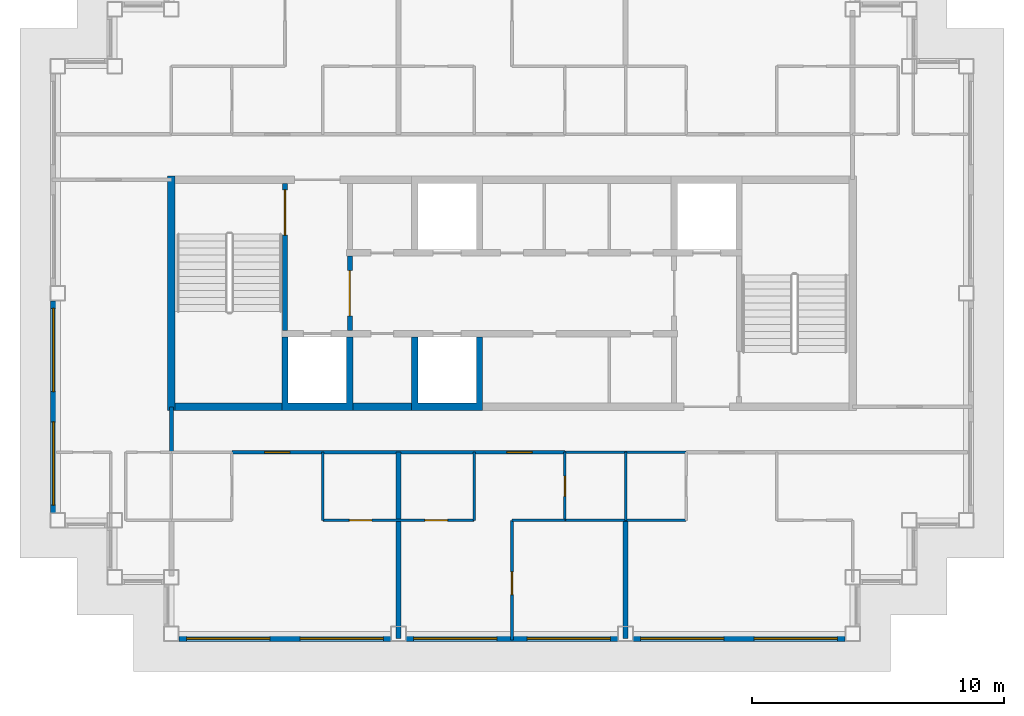
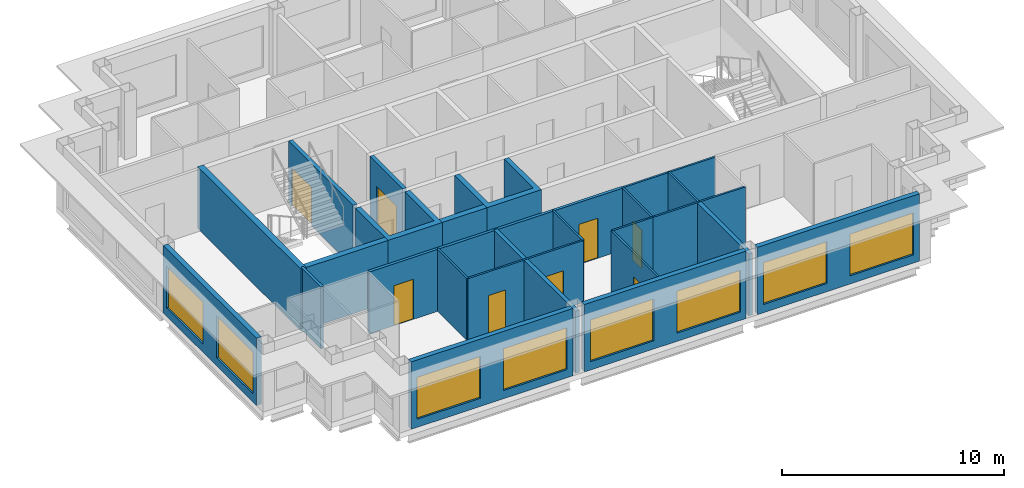
# One storey, part 2 of 11: 24 walls, 8 doors, 8 windows, 16 openings.
"""IFC4 building model written with IfcOpenShell, lengths in metres."""

from ifc_helpers import new_model, si_unit, direction, frame, frame_2d, origin, place, context, subcontext, project, spatial, polyline, rectangle, outline, extrude, material, layer, layer_set, type_object, element, fill, save


model = new_model("IFC4")

# Units and contexts
model_context = context("Model", 3, precision=1e-05, world=origin(), true_north=direction((0.0, 1.0)))
body_context = subcontext(model_context, "Body", "Model", "MODEL_VIEW")
ifc_project = project(units=[si_unit("LENGTHUNIT", "METRE"), si_unit("AREAUNIT", "SQUARE_METRE"), si_unit("VOLUMEUNIT", "CUBIC_METRE"), si_unit("PLANEANGLEUNIT", "RADIAN"), si_unit("MASSUNIT", "GRAM", prefix="KILO")], contexts=[model_context])

# Site, building, storey
site_placement = place(None, origin())
site = spatial("IfcSite", under=ifc_project, at=site_placement, CompositionType="ELEMENT")
building_placement = place(site_placement, origin())
building = spatial("IfcBuilding", under=site, at=building_placement, Name="Caravel Reach Hotel and Residences", CompositionType="ELEMENT")
storey_placement = place(building_placement, frame((0.0, 0.0, 298.199951171875)))
storey = spatial("IfcBuildingStorey", under=building, at=storey_placement, Name="L76", CompositionType="ELEMENT", Elevation=298.199951171875)

# Walls
ifc_material_1 = material(Name="Gypsum board on steel stud", Category="steel")
ifc_layer_1 = layer(ifc_material_1, 0.10009765625)
ifc_layer_set_1 = layer_set([ifc_layer_1], Name="Bathroom pod wall 100 mm")
wall_type_1 = type_object("IfcWallType", Name="Bathroom pod wall 100 mm", PredefinedType="PARTITIONING", material=ifc_layer_set_1)
for number, where, z_axis, x_axis, name in (
    (1, (33.60009765625, 18.0, 0.0), (0.0, 0.0, 1.0), (1.0, 0.0, 0.0), "L76 wall w054"),
    (2, (33.60009765625, 20.699951171875, 0.0), (0.0, 0.0, 1.0), (1.0, 0.0, 0.0), "L76 wall w057"),
):
    element("IfcWall", number, at=place(storey_placement, frame(where, z_axis=z_axis, x_axis=x_axis)), inside=storey, type_object=wall_type_1, Name=name, PredefinedType="PARTITIONING", context=body_context, shape_type="SweptSolid", body=[
        extrude(rectangle(XDim=4.7998046875, YDim=0.10009765625, at=frame_2d((2.39990234375, 0.0))), origin(), (0.0, 0.0, 1.0), 3.400146484375),
    ])

# Wall, opening, door
wall_1_placement = place(storey_placement, frame((33.60009765625, 18.0, 0.0), z_axis=(0.0, 0.0, 1.0), x_axis=(0.0, 1.0, 0.0)))
wall_1 = element("IfcWall", 3, at=wall_1_placement, inside=storey, type_object=wall_type_1, Name="L76 wall w073", PredefinedType="PARTITIONING", context=body_context, shape_type="SweptSolid", body=[
    extrude(rectangle(XDim=2.699951171875, YDim=0.10009765625, at=frame_2d((1.35009765625, 0.0))), origin(), (0.0, 0.0, 1.0), 3.400146484375),
])
opening_1_placement = place(wall_1_placement, frame((0.949951171875, 0.0, 0.0)))
opening_1 = element("IfcOpeningElement", 4, at=opening_1_placement, cuts=wall_1, Name="Opening D76-034", PredefinedType="OPENING", context=body_context, shape_type="SweptSolid", body=[
    extrude(rectangle(XDim=0.800048828125, YDim=2.10009765625, at=frame_2d((0.39990234375, 1.050048828125))), frame((0.0, 0.06005859375, 0.0), z_axis=(0.0, -1.0, 0.0), x_axis=(1.0, 0.0, 0.0)), (0.0, 0.0, 1.0), 0.1201171875),
])
ifc_material_2 = material(Name="Timber and steel door leaf", Category="steel")
door_type_1 = type_object("IfcDoorType", Name="Bathroom door 800 x 2100", OperationType="SINGLE_SWING_LEFT", PredefinedType="DOOR", material=ifc_material_2)
door_1_placement = place(opening_1_placement, origin())
door_1 = element("IfcDoor", 5, at=door_1_placement, inside=storey, type_object=door_type_1, Name="door D76-034", OperationType="SINGLE_SWING_LEFT", OverallHeight=2.10009765625, OverallWidth=0.800048828125, PredefinedType="DOOR", context=body_context, shape_type="SweptSolid", body=[
    extrude(rectangle(XDim=0.800048828125, YDim=2.10009765625, at=frame_2d((0.39990234375, 1.050048828125))), frame((0.0, 0.02490234375, 0.0), z_axis=(0.0, -1.0, 0.0), x_axis=(1.0, 0.0, 0.0)), (0.0, 0.0, 1.0), 0.050048828125),
])
fill(opening_1, door_1)

# Walls
wall_2_placement = place(storey_placement, frame((36.0, 18.0, 0.0), z_axis=(0.0, 0.0, 1.0), x_axis=(0.0, 1.0, 0.0)))
element("IfcWall", 6, at=wall_2_placement, inside=storey, type_object=wall_type_1, Name="L76 wall w075", PredefinedType="PARTITIONING", context=body_context, shape_type="SweptSolid", body=[
    extrude(rectangle(XDim=2.699951171875, YDim=0.10009765625, at=frame_2d((1.35009765625, 0.0))), origin(), (0.0, 0.0, 1.0), 3.400146484375),
])
ifc_material_3 = material(Name="Concrete C60", Category="concrete")
ifc_layer_2 = layer(ifc_material_3, 0.300048828125)
ifc_layer_set_2 = layer_set([ifc_layer_2], Name="Core wall 300 mm EI 120")
wall_type_2 = type_object("IfcWallType", Name="Core wall 300 mm EI 120", PredefinedType="SHEAR", material=ifc_layer_set_2)
wall_3_placement = place(storey_placement, frame((18.14990234375, 22.5, 0.0), z_axis=(0.0, 0.0, 1.0), x_axis=(1.0, 0.0, 0.0)))
element("IfcWall", 7, at=wall_3_placement, inside=storey, type_object=wall_type_2, Name="L76 core wall S1", PredefinedType="SHEAR", context=body_context, shape_type="SweptSolid", body=[
    extrude(rectangle(XDim=4.22509765625, YDim=0.300048828125, at=frame_2d((2.112548828125, 0.0))), origin(), (0.0, 0.0, 1.0), 3.400146484375),
])
wall_4_placement = place(storey_placement, frame((25.196533203125, 22.5, 0.0), z_axis=(0.0, 0.0, 1.0), x_axis=(1.0, 0.0, 0.0)))
element("IfcWall", 8, at=wall_4_placement, inside=storey, type_object=wall_type_2, Name="L76 core wall S2", PredefinedType="SHEAR", context=body_context, shape_type="SweptSolid", body=[
    extrude(rectangle(XDim=2.3212890625, YDim=0.300048828125, at=frame_2d((1.16064453125, 0.0))), origin(), (0.0, 0.0, 1.0), 3.400146484375),
])
wall_5_placement = place(storey_placement, frame((18.0, 22.35009765625, 0.0), z_axis=(0.0, 0.0, 1.0), x_axis=(0.0, 1.0, 0.0)))
element("IfcWall", 9, at=wall_5_placement, inside=storey, type_object=wall_type_2, Name="L76 core wall W", PredefinedType="SHEAR", context=body_context, shape_type="SweptSolid", body=[
    extrude(rectangle(XDim=9.2998046875, YDim=0.300048828125, at=frame_2d((4.64990234375, 0.0))), origin(), (0.0, 0.0, 1.0), 3.400146484375),
])

# Wall, openings, doors
ifc_material_4 = material(Name="Gypsum board on steel stud, fire-rated", Category="steel")
ifc_layer_3 = layer(ifc_material_4, 0.14990234375)
ifc_layer_set_3 = layer_set([ifc_layer_3], Name="Corridor wall 150 mm EI 60")
wall_type_3 = type_object("IfcWallType", Name="Corridor wall 150 mm EI 60", PredefinedType="PARTITIONING", material=ifc_layer_set_3)
wall_6_placement = place(storey_placement, frame((20.39990234375, 20.699951171875, 0.0), z_axis=(0.0, 0.0, 1.0), x_axis=(1.0, 0.0, 0.0)))
wall_6 = element("IfcWall", 10, at=wall_6_placement, inside=storey, type_object=wall_type_3, Name="L76 wall w001", PredefinedType="PARTITIONING", context=body_context, shape_type="SweptSolid", body=[
    extrude(rectangle(XDim=13.2001953125, YDim=0.14990234375, at=frame_2d((6.60009765625, 0.0))), origin(), (0.0, 0.0, 1.0), 3.400146484375),
])
opening_2_placement = place(wall_6_placement, frame((1.300048828125, 0.0, 0.0)))
opening_2 = element("IfcOpeningElement", 11, at=opening_2_placement, cuts=wall_6, Name="Opening D76-029", PredefinedType="OPENING", context=body_context, shape_type="SweptSolid", body=[
    extrude(rectangle(XDim=1.0, YDim=2.199951171875, at=frame_2d((0.5, 1.10009765625))), frame((0.0, 0.0849609375, 0.0), z_axis=(0.0, -1.0, 0.0), x_axis=(1.0, 0.0, 0.0)), (0.0, 0.0, 1.0), 0.169921875),
])
opening_3_placement = place(wall_6_placement, frame((10.900146484375, 0.0, 0.0)))
opening_3 = element("IfcOpeningElement", 12, at=opening_3_placement, cuts=wall_6, Name="Opening D76-032", PredefinedType="OPENING", context=body_context, shape_type="SweptSolid", body=[
    extrude(rectangle(XDim=1.0, YDim=2.199951171875, at=frame_2d((0.5, 1.10009765625))), frame((0.0, 0.0849609375, 0.0), z_axis=(0.0, -1.0, 0.0), x_axis=(1.0, 0.0, 0.0)), (0.0, 0.0, 1.0), 0.169921875),
])
ifc_material_5 = material(Name="Steel fire door leaf", Category="steel")
door_type_2 = type_object("IfcDoorType", Name="Flat entrance door 1000 x 2200 EI 60", OperationType="SINGLE_SWING_LEFT", PredefinedType="DOOR", material=ifc_material_5)
door_2_placement = place(opening_2_placement, origin())
door_2 = element("IfcDoor", 13, at=door_2_placement, inside=storey, type_object=door_type_2, Name="door D76-029", OperationType="SINGLE_SWING_RIGHT", OverallHeight=2.199951171875, OverallWidth=1.0, PredefinedType="DOOR", context=body_context, shape_type="SweptSolid", body=[
    extrude(rectangle(XDim=1.0, YDim=2.199951171875, at=frame_2d((0.5, 1.10009765625))), frame((0.0, 0.02490234375, 0.0), z_axis=(0.0, -1.0, 0.0), x_axis=(1.0, 0.0, 0.0)), (0.0, 0.0, 1.0), 0.050048828125),
])
fill(opening_2, door_2)
door_3_placement = place(opening_3_placement, origin())
door_3 = element("IfcDoor", 14, at=door_3_placement, inside=storey, type_object=door_type_2, Name="door D76-032", OperationType="SINGLE_SWING_LEFT", OverallHeight=2.199951171875, OverallWidth=1.0, PredefinedType="DOOR", context=body_context, shape_type="SweptSolid", body=[
    extrude(rectangle(XDim=1.0, YDim=2.199951171875, at=frame_2d((0.5, 1.10009765625))), frame((0.0, 0.02490234375, 0.0), z_axis=(0.0, -1.0, 0.0), x_axis=(1.0, 0.0, 0.0)), (0.0, 0.0, 1.0), 0.050048828125),
])
fill(opening_3, door_3)

# Wall
wall_7_placement = place(storey_placement, frame((18.0, 20.699951171875, 0.0), z_axis=(0.0, 0.0, 1.0), x_axis=(0.0, 1.0, 0.0)))
element("IfcWall", 15, at=wall_7_placement, inside=storey, type_object=wall_type_3, Name="L76 wall w017", PredefinedType="PARTITIONING", context=body_context, shape_type="SweptSolid", body=[
    extrude(rectangle(XDim=1.800048828125, YDim=0.14990234375, at=frame_2d((0.89990234375, 0.0))), origin(), (0.0, 0.0, 1.0), 3.400146484375),
])

# Wall, openings, windows
ifc_material_6 = material(Name="Insulated rainscreen wall, aluminium cladding", Category="aluminium")
ifc_layer_4 = layer(ifc_material_6, 0.25)
ifc_layer_set_4 = layer_set([ifc_layer_4], Name="EW1 Tower rainscreen wall")
wall_type_4 = type_object("IfcWallType", Name="EW1 Tower rainscreen wall", PredefinedType="SOLIDWALL", material=ifc_layer_set_4)
wall_8_placement = place(storey_placement, frame((13.324951171875, 26.699951171875, 0.0), z_axis=(0.0, 0.0, 1.0), x_axis=(0.0, -1.0, 0.0)))
wall_8 = element("IfcWall", 16, at=wall_8_placement, inside=storey, type_object=wall_type_4, Name="External wall L76 W15.2", PredefinedType="SOLIDWALL", context=body_context, shape_type="SweptSolid", body=[
    extrude(rectangle(XDim=8.39990234375, YDim=0.25, at=frame_2d((4.199951171875, 0.0))), origin(), (0.0, 0.0, 1.0), 3.699951171875),
])
opening_4_placement = place(wall_8_placement, frame((0.300048828125, 0.0, 0.449951171875)))
opening_4 = element("IfcOpeningElement", 17, at=opening_4_placement, cuts=wall_8, Name="Opening WN15", PredefinedType="OPENING", context=body_context, shape_type="SweptSolid", body=[
    extrude(rectangle(XDim=3.300048828125, YDim=2.300048828125, at=frame_2d((1.64990234375, 1.14990234375))), frame((0.0, 0.135009765625, 0.0), z_axis=(0.0, -1.0, 0.0), x_axis=(1.0, 0.0, 0.0)), (0.0, 0.0, 1.0), 0.27001953125),
])
opening_5_placement = place(wall_8_placement, frame((4.800048828125, 0.0, 0.449951171875)))
opening_5 = element("IfcOpeningElement", 18, at=opening_5_placement, cuts=wall_8, Name="Opening WN15", PredefinedType="OPENING", context=body_context, shape_type="SweptSolid", body=[
    extrude(rectangle(XDim=3.300048828125, YDim=2.300048828125, at=frame_2d((1.64990234375, 1.14990234375))), frame((0.0, 0.135009765625, 0.0), z_axis=(0.0, -1.0, 0.0), x_axis=(1.0, 0.0, 0.0)), (0.0, 0.0, 1.0), 0.27001953125),
])
ifc_material_7 = material(Name="Dark low-e glazing in black aluminium frame", Category="aluminium")
window_type = type_object("IfcWindowType", Name="Residence living window 3300 x 2300", PartitioningType="SINGLE_PANEL", PredefinedType="WINDOW", material=ifc_material_7)
window_1_placement = place(opening_4_placement, origin())
window_1 = element("IfcWindow", 19, at=window_1_placement, inside=storey, type_object=window_type, Name="Window L76 W15.2.1", OverallHeight=2.300048828125, OverallWidth=3.300048828125, PartitioningType="SINGLE_PANEL", PredefinedType="WINDOW", context=body_context, shape_type="SweptSolid", body=[
    extrude(rectangle(XDim=3.300048828125, YDim=2.300048828125, at=frame_2d((1.64990234375, 1.14990234375))), frame((0.0, 0.030029296875, 0.0), z_axis=(0.0, -1.0, 0.0), x_axis=(1.0, 0.0, 0.0)), (0.0, 0.0, 1.0), 0.06005859375),
])
fill(opening_4, window_1)
window_2_placement = place(opening_5_placement, origin())
window_2 = element("IfcWindow", 20, at=window_2_placement, inside=storey, type_object=window_type, Name="Window L76 W15.2.2", OverallHeight=2.300048828125, OverallWidth=3.300048828125, PartitioningType="SINGLE_PANEL", PredefinedType="WINDOW", context=body_context, shape_type="SweptSolid", body=[
    extrude(rectangle(XDim=3.300048828125, YDim=2.300048828125, at=frame_2d((1.64990234375, 1.14990234375))), frame((0.0, 0.030029296875, 0.0), z_axis=(0.0, -1.0, 0.0), x_axis=(1.0, 0.0, 0.0)), (0.0, 0.0, 1.0), 0.06005859375),
])
fill(opening_5, window_2)

wall_9_placement = place(storey_placement, frame((18.300048828125, 13.324951171875, 0.0), z_axis=(0.0, 0.0, 1.0), x_axis=(1.0, 0.0, 0.0)))
wall_9 = element("IfcWall", 21, at=wall_9_placement, inside=storey, type_object=wall_type_4, Name="External wall L76 S20.1", PredefinedType="SOLIDWALL", context=body_context, shape_type="SweptSolid", body=[
    extrude(rectangle(XDim=8.39990234375, YDim=0.25, at=frame_2d((4.199951171875, 0.0))), origin(), (0.0, 0.0, 1.0), 3.699951171875),
])
opening_6_placement = place(wall_9_placement, frame((0.300048828125, 0.0, 0.449951171875)))
opening_6 = element("IfcOpeningElement", 22, at=opening_6_placement, cuts=wall_9, Name="Opening WN15", PredefinedType="OPENING", context=body_context, shape_type="SweptSolid", body=[
    extrude(rectangle(XDim=3.300048828125, YDim=2.300048828125, at=frame_2d((1.64990234375, 1.14990234375))), frame((0.0, 0.135009765625, 0.0), z_axis=(0.0, -1.0, 0.0), x_axis=(1.0, 0.0, 0.0)), (0.0, 0.0, 1.0), 0.27001953125),
])
opening_7_placement = place(wall_9_placement, frame((4.800048828125, 0.0, 0.449951171875)))
opening_7 = element("IfcOpeningElement", 23, at=opening_7_placement, cuts=wall_9, Name="Opening WN15", PredefinedType="OPENING", context=body_context, shape_type="SweptSolid", body=[
    extrude(rectangle(XDim=3.300048828125, YDim=2.300048828125, at=frame_2d((1.64990234375, 1.14990234375))), frame((0.0, 0.135009765625, 0.0), z_axis=(0.0, -1.0, 0.0), x_axis=(1.0, 0.0, 0.0)), (0.0, 0.0, 1.0), 0.27001953125),
])
window_3_placement = place(opening_6_placement, origin())
window_3 = element("IfcWindow", 24, at=window_3_placement, inside=storey, type_object=window_type, Name="Window L76 S20.1.1", OverallHeight=2.300048828125, OverallWidth=3.300048828125, PartitioningType="SINGLE_PANEL", PredefinedType="WINDOW", context=body_context, shape_type="SweptSolid", body=[
    extrude(rectangle(XDim=3.300048828125, YDim=2.300048828125, at=frame_2d((1.64990234375, 1.14990234375))), frame((0.0, 0.030029296875, 0.0), z_axis=(0.0, -1.0, 0.0), x_axis=(1.0, 0.0, 0.0)), (0.0, 0.0, 1.0), 0.06005859375),
])
fill(opening_6, window_3)
window_4_placement = place(opening_7_placement, origin())
window_4 = element("IfcWindow", 25, at=window_4_placement, inside=storey, type_object=window_type, Name="Window L76 S20.1.2", OverallHeight=2.300048828125, OverallWidth=3.300048828125, PartitioningType="SINGLE_PANEL", PredefinedType="WINDOW", context=body_context, shape_type="SweptSolid", body=[
    extrude(rectangle(XDim=3.300048828125, YDim=2.300048828125, at=frame_2d((1.64990234375, 1.14990234375))), frame((0.0, 0.030029296875, 0.0), z_axis=(0.0, -1.0, 0.0), x_axis=(1.0, 0.0, 0.0)), (0.0, 0.0, 1.0), 0.06005859375),
])
fill(opening_7, window_4)

wall_10_placement = place(storey_placement, frame((27.300048828125, 13.324951171875, 0.0), z_axis=(0.0, 0.0, 1.0), x_axis=(1.0, 0.0, 0.0)))
wall_10 = element("IfcWall", 26, at=wall_10_placement, inside=storey, type_object=wall_type_4, Name="External wall L76 S20.2", PredefinedType="SOLIDWALL", context=body_context, shape_type="SweptSolid", body=[
    extrude(rectangle(XDim=8.39990234375, YDim=0.25, at=frame_2d((4.199951171875, 0.0))), origin(), (0.0, 0.0, 1.0), 3.699951171875),
])
opening_8_placement = place(wall_10_placement, frame((0.300048828125, 0.0, 0.449951171875)))
opening_8 = element("IfcOpeningElement", 27, at=opening_8_placement, cuts=wall_10, Name="Opening WN15", PredefinedType="OPENING", context=body_context, shape_type="SweptSolid", body=[
    extrude(rectangle(XDim=3.300048828125, YDim=2.300048828125, at=frame_2d((1.64990234375, 1.14990234375))), frame((0.0, 0.135009765625, 0.0), z_axis=(0.0, -1.0, 0.0), x_axis=(1.0, 0.0, 0.0)), (0.0, 0.0, 1.0), 0.27001953125),
])
opening_9_placement = place(wall_10_placement, frame((4.800048828125, 0.0, 0.449951171875)))
opening_9 = element("IfcOpeningElement", 28, at=opening_9_placement, cuts=wall_10, Name="Opening WN15", PredefinedType="OPENING", context=body_context, shape_type="SweptSolid", body=[
    extrude(rectangle(XDim=3.300048828125, YDim=2.300048828125, at=frame_2d((1.64990234375, 1.14990234375))), frame((0.0, 0.135009765625, 0.0), z_axis=(0.0, -1.0, 0.0), x_axis=(1.0, 0.0, 0.0)), (0.0, 0.0, 1.0), 0.27001953125),
])
window_5_placement = place(opening_8_placement, origin())
window_5 = element("IfcWindow", 29, at=window_5_placement, inside=storey, type_object=window_type, Name="Window L76 S20.2.1", OverallHeight=2.300048828125, OverallWidth=3.300048828125, PartitioningType="SINGLE_PANEL", PredefinedType="WINDOW", context=body_context, shape_type="SweptSolid", body=[
    extrude(rectangle(XDim=3.300048828125, YDim=2.300048828125, at=frame_2d((1.64990234375, 1.14990234375))), frame((0.0, 0.030029296875, 0.0), z_axis=(0.0, -1.0, 0.0), x_axis=(1.0, 0.0, 0.0)), (0.0, 0.0, 1.0), 0.06005859375),
])
fill(opening_8, window_5)
window_6_placement = place(opening_9_placement, origin())
window_6 = element("IfcWindow", 30, at=window_6_placement, inside=storey, type_object=window_type, Name="Window L76 S20.2.2", OverallHeight=2.300048828125, OverallWidth=3.300048828125, PartitioningType="SINGLE_PANEL", PredefinedType="WINDOW", context=body_context, shape_type="SweptSolid", body=[
    extrude(rectangle(XDim=3.300048828125, YDim=2.300048828125, at=frame_2d((1.64990234375, 1.14990234375))), frame((0.0, 0.030029296875, 0.0), z_axis=(0.0, -1.0, 0.0), x_axis=(1.0, 0.0, 0.0)), (0.0, 0.0, 1.0), 0.06005859375),
])
fill(opening_9, window_6)

wall_11_placement = place(storey_placement, frame((36.300048828125, 13.324951171875, 0.0), z_axis=(0.0, 0.0, 1.0), x_axis=(1.0, 0.0, 0.0)))
wall_11 = element("IfcWall", 31, at=wall_11_placement, inside=storey, type_object=wall_type_4, Name="External wall L76 S20.3", PredefinedType="SOLIDWALL", context=body_context, shape_type="SweptSolid", body=[
    extrude(rectangle(XDim=8.39990234375, YDim=0.25, at=frame_2d((4.199951171875, 0.0))), origin(), (0.0, 0.0, 1.0), 3.699951171875),
])
opening_10_placement = place(wall_11_placement, frame((0.300048828125, 0.0, 0.449951171875)))
opening_10 = element("IfcOpeningElement", 32, at=opening_10_placement, cuts=wall_11, Name="Opening WN15", PredefinedType="OPENING", context=body_context, shape_type="SweptSolid", body=[
    extrude(rectangle(XDim=3.300048828125, YDim=2.300048828125, at=frame_2d((1.64990234375, 1.14990234375))), frame((0.0, 0.135009765625, 0.0), z_axis=(0.0, -1.0, 0.0), x_axis=(1.0, 0.0, 0.0)), (0.0, 0.0, 1.0), 0.27001953125),
])
opening_11_placement = place(wall_11_placement, frame((4.800048828125, 0.0, 0.449951171875)))
opening_11 = element("IfcOpeningElement", 33, at=opening_11_placement, cuts=wall_11, Name="Opening WN15", PredefinedType="OPENING", context=body_context, shape_type="SweptSolid", body=[
    extrude(rectangle(XDim=3.300048828125, YDim=2.300048828125, at=frame_2d((1.64990234375, 1.14990234375))), frame((0.0, 0.135009765625, 0.0), z_axis=(0.0, -1.0, 0.0), x_axis=(1.0, 0.0, 0.0)), (0.0, 0.0, 1.0), 0.27001953125),
])
window_7_placement = place(opening_10_placement, origin())
window_7 = element("IfcWindow", 34, at=window_7_placement, inside=storey, type_object=window_type, Name="Window L76 S20.3.1", OverallHeight=2.300048828125, OverallWidth=3.300048828125, PartitioningType="SINGLE_PANEL", PredefinedType="WINDOW", context=body_context, shape_type="SweptSolid", body=[
    extrude(rectangle(XDim=3.300048828125, YDim=2.300048828125, at=frame_2d((1.64990234375, 1.14990234375))), frame((0.0, 0.030029296875, 0.0), z_axis=(0.0, -1.0, 0.0), x_axis=(1.0, 0.0, 0.0)), (0.0, 0.0, 1.0), 0.06005859375),
])
fill(opening_10, window_7)
window_8_placement = place(opening_11_placement, origin())
window_8 = element("IfcWindow", 35, at=window_8_placement, inside=storey, type_object=window_type, Name="Window L76 S20.3.2", OverallHeight=2.300048828125, OverallWidth=3.300048828125, PartitioningType="SINGLE_PANEL", PredefinedType="WINDOW", context=body_context, shape_type="SweptSolid", body=[
    extrude(rectangle(XDim=3.300048828125, YDim=2.300048828125, at=frame_2d((1.64990234375, 1.14990234375))), frame((0.0, 0.030029296875, 0.0), z_axis=(0.0, -1.0, 0.0), x_axis=(1.0, 0.0, 0.0)), (0.0, 0.0, 1.0), 0.06005859375),
])
fill(opening_11, window_8)

# Wall, opening, door
ifc_material_8 = material(Name="Autoclaved aerated block wall")
ifc_layer_5 = layer(ifc_material_8, 0.199951171875)
ifc_layer_set_5 = layer_set([ifc_layer_5], Name="Fire lobby wall 200 mm EI 120")
wall_type_5 = type_object("IfcWallType", Name="Fire lobby wall 200 mm EI 120", PredefinedType="PARTITIONING", material=ifc_layer_set_5)
wall_12_placement = place(storey_placement, frame((25.071533203125, 25.52490234375, 0.0), z_axis=(0.0, 0.0, 1.0), x_axis=(0.0, 1.0, 0.0)))
wall_12 = element("IfcWall", 36, at=wall_12_placement, inside=storey, type_object=wall_type_5, Name="L76 lobby W wall", PredefinedType="PARTITIONING", context=body_context, shape_type="SweptSolid", body=[
    extrude(rectangle(XDim=2.9501953125, YDim=0.199951171875, at=frame_2d((1.47509765625, 0.0))), origin(), (0.0, 0.0, 1.0), 3.400146484375),
])
opening_12_placement = place(wall_12_placement, frame((0.574951171875, 0.0, 0.0)))
opening_12 = element("IfcOpeningElement", 37, at=opening_12_placement, cuts=wall_12, Name="Opening D76-014", PredefinedType="OPENING", context=body_context, shape_type="SweptSolid", body=[
    extrude(rectangle(XDim=1.800048828125, YDim=2.10009765625, at=frame_2d((0.89990234375, 1.050048828125))), frame((0.0, 0.10986328125, 0.0), z_axis=(0.0, -1.0, 0.0), x_axis=(1.0, 0.0, 0.0)), (0.0, 0.0, 1.0), 0.219970703125),
])
ifc_material_9 = material(Name="Steel fire door leaf", Category="steel")
door_type_3 = type_object("IfcDoorType", Name="Fire lobby door pair 1800 x 2100 EI 90", OperationType="DOUBLE_DOOR_SINGLE_SWING", PredefinedType="DOOR", material=ifc_material_9)
door_4_placement = place(opening_12_placement, origin())
door_4 = element("IfcDoor", 38, at=door_4_placement, inside=storey, type_object=door_type_3, Name="lobby W door pair", OperationType="DOUBLE_DOOR_SINGLE_SWING", OverallHeight=2.10009765625, OverallWidth=1.800048828125, PredefinedType="DOOR", context=body_context, shape_type="SweptSolid", body=[
    extrude(rectangle(XDim=1.800048828125, YDim=2.10009765625, at=frame_2d((0.89990234375, 1.050048828125))), frame((0.0, 0.02490234375, 0.0), z_axis=(0.0, -1.0, 0.0), x_axis=(1.0, 0.0, 0.0)), (0.0, 0.0, 1.0), 0.050048828125),
])
fill(opening_12, door_4)

# Wall, openings, doors
ifc_material_10 = material(Name="Gypsum board on steel stud", Category="steel")
ifc_layer_6 = layer(ifc_material_10, 0.10009765625)
ifc_layer_set_6 = layer_set([ifc_layer_6], Name="Partition 100 mm")
wall_type_6 = type_object("IfcWallType", Name="Partition 100 mm", PredefinedType="PARTITIONING", material=ifc_layer_set_6)
wall_13_placement = place(storey_placement, frame((24.0, 18.0, 0.0), z_axis=(0.0, 0.0, 1.0), x_axis=(1.0, 0.0, 0.0)))
wall_13 = element("IfcWall", 39, at=wall_13_placement, inside=storey, type_object=wall_type_6, Name="L76 wall w019", PredefinedType="PARTITIONING", context=body_context, shape_type="SweptSolid", body=[
    extrude(rectangle(XDim=6.0, YDim=0.10009765625, at=frame_2d((3.0, 0.0))), origin(), (0.0, 0.0, 1.0), 3.400146484375),
])
opening_13_placement = place(wall_13_placement, frame((1.050048828125, 0.0, 0.0)))
opening_13 = element("IfcOpeningElement", 40, at=opening_13_placement, cuts=wall_13, Name="Opening D76-031", PredefinedType="OPENING", context=body_context, shape_type="SweptSolid", body=[
    extrude(rectangle(XDim=0.89990234375, YDim=2.10009765625, at=frame_2d((0.449951171875, 1.050048828125))), frame((0.0, 0.06005859375, 0.0), z_axis=(0.0, -1.0, 0.0), x_axis=(1.0, 0.0, 0.0)), (0.0, 0.0, 1.0), 0.1201171875),
])
opening_14_placement = place(wall_13_placement, frame((4.050048828125, 0.0, 0.0)))
opening_14 = element("IfcOpeningElement", 41, at=opening_14_placement, cuts=wall_13, Name="Opening D76-033", PredefinedType="OPENING", context=body_context, shape_type="SweptSolid", body=[
    extrude(rectangle(XDim=0.89990234375, YDim=2.10009765625, at=frame_2d((0.449951171875, 1.050048828125))), frame((0.0, 0.06005859375, 0.0), z_axis=(0.0, -1.0, 0.0), x_axis=(1.0, 0.0, 0.0)), (0.0, 0.0, 1.0), 0.1201171875),
])
ifc_material_11 = material(Name="Timber and steel door leaf", Category="steel")
door_type_4 = type_object("IfcDoorType", Name="Door 900 x 2100 timber", OperationType="SINGLE_SWING_LEFT", PredefinedType="DOOR", material=ifc_material_11)
door_5_placement = place(opening_13_placement, origin())
door_5 = element("IfcDoor", 42, at=door_5_placement, inside=storey, type_object=door_type_4, Name="door D76-031", OperationType="SINGLE_SWING_RIGHT", OverallHeight=2.10009765625, OverallWidth=0.89990234375, PredefinedType="DOOR", context=body_context, shape_type="SweptSolid", body=[
    extrude(rectangle(XDim=0.89990234375, YDim=2.10009765625, at=frame_2d((0.449951171875, 1.050048828125))), frame((0.0, 0.02490234375, 0.0), z_axis=(0.0, -1.0, 0.0), x_axis=(1.0, 0.0, 0.0)), (0.0, 0.0, 1.0), 0.050048828125),
])
fill(opening_13, door_5)
door_6_placement = place(opening_14_placement, origin())
door_6 = element("IfcDoor", 43, at=door_6_placement, inside=storey, type_object=door_type_4, Name="door D76-033", OperationType="SINGLE_SWING_RIGHT", OverallHeight=2.10009765625, OverallWidth=0.89990234375, PredefinedType="DOOR", context=body_context, shape_type="SweptSolid", body=[
    extrude(rectangle(XDim=0.89990234375, YDim=2.10009765625, at=frame_2d((0.449951171875, 1.050048828125))), frame((0.0, 0.02490234375, 0.0), z_axis=(0.0, -1.0, 0.0), x_axis=(1.0, 0.0, 0.0)), (0.0, 0.0, 1.0), 0.050048828125),
])
fill(opening_14, door_6)

# Walls
wall_14_placement = place(storey_placement, frame((31.5, 18.0, 0.0), z_axis=(0.0, 0.0, 1.0), x_axis=(1.0, 0.0, 0.0)))
element("IfcWall", 44, at=wall_14_placement, inside=storey, type_object=wall_type_6, Name="L76 wall w020", PredefinedType="PARTITIONING", context=body_context, shape_type="SweptSolid", body=[
    extrude(rectangle(XDim=2.10009765625, YDim=0.10009765625, at=frame_2d((1.050048828125, 0.0))), origin(), (0.0, 0.0, 1.0), 3.400146484375),
])
for number, where, z_axis, x_axis, name in (
    (45, (24.0, 18.0, 0.0), (0.0, 0.0, 1.0), (0.0, 1.0, 0.0), "L76 wall w035"),
    (46, (30.0, 18.0, 0.0), (0.0, 0.0, 1.0), (0.0, 1.0, 0.0), "L76 wall w037"),
):
    element("IfcWall", number, at=place(storey_placement, frame(where, z_axis=z_axis, x_axis=x_axis)), inside=storey, type_object=wall_type_6, Name=name, PredefinedType="PARTITIONING", context=body_context, shape_type="SweptSolid", body=[
        extrude(rectangle(XDim=2.699951171875, YDim=0.10009765625, at=frame_2d((1.35009765625, 0.0))), origin(), (0.0, 0.0, 1.0), 3.400146484375),
    ])

# Wall, opening, door
wall_15_placement = place(storey_placement, frame((31.5, 13.260009765625, 0.0), z_axis=(0.0, 0.0, 1.0), x_axis=(0.0, 1.0, 0.0)))
wall_15 = element("IfcWall", 47, at=wall_15_placement, inside=storey, type_object=wall_type_6, Name="L76 wall w039", PredefinedType="PARTITIONING", context=body_context, shape_type="SweptSolid", body=[
    extrude(rectangle(XDim=4.739990234375, YDim=0.10009765625, at=frame_2d((2.3701171875, 0.0))), origin(), (0.0, 0.0, 1.0), 3.400146484375),
])
opening_15_placement = place(wall_15_placement, frame((1.800048828125, 0.0, 0.0)))
opening_15 = element("IfcOpeningElement", 48, at=opening_15_placement, cuts=wall_15, Name="Opening D76-035", PredefinedType="OPENING", context=body_context, shape_type="SweptSolid", body=[
    extrude(rectangle(XDim=0.89990234375, YDim=2.10009765625, at=frame_2d((0.449951171875, 1.050048828125))), frame((0.0, 0.06005859375, 0.0), z_axis=(0.0, -1.0, 0.0), x_axis=(1.0, 0.0, 0.0)), (0.0, 0.0, 1.0), 0.1201171875),
])
door_7_placement = place(opening_15_placement, origin())
door_7 = element("IfcDoor", 49, at=door_7_placement, inside=storey, type_object=door_type_4, Name="door D76-035", OperationType="SINGLE_SWING_RIGHT", OverallHeight=2.10009765625, OverallWidth=0.89990234375, PredefinedType="DOOR", context=body_context, shape_type="SweptSolid", body=[
    extrude(rectangle(XDim=0.89990234375, YDim=2.10009765625, at=frame_2d((0.449951171875, 1.050048828125))), frame((0.0, 0.02490234375, 0.0), z_axis=(0.0, -1.0, 0.0), x_axis=(1.0, 0.0, 0.0)), (0.0, 0.0, 1.0), 0.050048828125),
])
fill(opening_15, door_7)

# Walls
ifc_material_12 = material(Name="Autoclaved aerated block wall")
ifc_layer_7 = layer(ifc_material_12, 0.199951171875)
ifc_layer_set_7 = layer_set([ifc_layer_7], Name="Party wall 200 mm EI 60")
wall_type_7 = type_object("IfcWallType", Name="Party wall 200 mm EI 60", PredefinedType="PARTITIONING", material=ifc_layer_set_7)
wall_16_placement = place(storey_placement, frame((27.0, 13.31005859375, 0.0), z_axis=(0.0, 0.0, 1.0), x_axis=(0.0, 1.0, 0.0)))
element("IfcWall", 50, at=wall_16_placement, inside=storey, type_object=wall_type_7, Name="L76 wall w047", PredefinedType="PARTITIONING", context=body_context, shape_type="SweptSolid", body=[
    extrude(rectangle(XDim=7.389892578125, YDim=0.199951171875, at=frame_2d((3.69482421875, 0.0))), origin(), (0.0, 0.0, 1.0), 3.400146484375),
])
wall_17_placement = place(storey_placement, frame((36.0, 13.31005859375, 0.0), z_axis=(0.0, 0.0, 1.0), x_axis=(0.0, 1.0, 0.0)))
element("IfcWall", 51, at=wall_17_placement, inside=storey, type_object=wall_type_7, Name="L76 wall w050", PredefinedType="PARTITIONING", context=body_context, shape_type="SweptSolid", body=[
    extrude(rectangle(XDim=4.68994140625, YDim=0.199951171875, at=frame_2d((2.344970703125, 0.0))), origin(), (0.0, 0.0, 1.0), 3.400146484375),
])
ifc_material_13 = material(Name="Concrete C60", Category="concrete")
ifc_layer_8 = layer(ifc_material_13, 0.25)
ifc_layer_set_8 = layer_set([ifc_layer_8], Name="Shaft wall 250 mm EI 120")
wall_type_8 = type_object("IfcWallType", Name="Shaft wall 250 mm EI 120", PredefinedType="SHEAR", material=ifc_layer_set_8)
wall_18_placement = place(storey_placement, origin())
element("IfcWall", 52, at=wall_18_placement, inside=storey, type_object=wall_type_8, Name="L76 lift shaft wall S1", PredefinedType="SHEAR", context=body_context, shape_type="SweptSolid", body=[
    extrude(outline(polyline([(22.375, 22.35009765625), (25.196533203125, 22.35009765625), (25.196533203125, 25.27490234375), (24.946533203125, 25.27490234375), (24.946533203125, 22.64990234375), (22.625, 22.64990234375), (22.625, 25.27490234375), (22.375, 25.27490234375), (22.375, 22.35009765625)])), origin(), (0.0, 0.0, 1.0), 3.400146484375),
])
wall_19_placement = place(storey_placement, origin())
element("IfcWall", 53, at=wall_19_placement, inside=storey, type_object=wall_type_8, Name="L76 lift shaft wall S2", PredefinedType="SHEAR", context=body_context, shape_type="SweptSolid", body=[
    extrude(outline(polyline([(27.517822265625, 22.35009765625), (30.33935546875, 22.35009765625), (30.33935546875, 25.27490234375), (30.08935546875, 25.27490234375), (30.08935546875, 22.64990234375), (27.767822265625, 22.64990234375), (27.767822265625, 25.27490234375), (27.517822265625, 25.27490234375), (27.517822265625, 22.35009765625)])), origin(), (0.0, 0.0, 1.0), 3.400146484375),
])

# Wall, opening, door
ifc_material_14 = material(Name="Concrete C60", Category="concrete")
ifc_layer_9 = layer(ifc_material_14, 0.199951171875)
ifc_layer_set_9 = layer_set([ifc_layer_9], Name="Stair enclosure wall 200 mm EI 120")
wall_type_9 = type_object("IfcWallType", Name="Stair enclosure wall 200 mm EI 120", PredefinedType="SHEAR", material=ifc_layer_set_9)
wall_20_placement = place(storey_placement, frame((22.5, 31.35009765625, 0.0), z_axis=(0.0, 0.0, 1.0), x_axis=(0.0, -1.0, 0.0)))
wall_20 = element("IfcWall", 54, at=wall_20_placement, inside=storey, type_object=wall_type_9, Name="L76 stair A wall", PredefinedType="SHEAR", context=body_context, shape_type="SweptSolid", body=[
    extrude(rectangle(XDim=5.8251953125, YDim=0.199951171875, at=frame_2d((2.91259765625, 0.0))), origin(), (0.0, 0.0, 1.0), 3.400146484375),
])
opening_16_placement = place(wall_20_placement, frame((0.25, 0.0, 0.0)))
opening_16 = element("IfcOpeningElement", 55, at=opening_16_placement, cuts=wall_20, Name="Opening D76-012", PredefinedType="OPENING", context=body_context, shape_type="SweptSolid", body=[
    extrude(rectangle(XDim=1.800048828125, YDim=2.10009765625, at=frame_2d((0.89990234375, 1.050048828125))), frame((0.0, 0.10986328125, 0.0), z_axis=(0.0, -1.0, 0.0), x_axis=(1.0, 0.0, 0.0)), (0.0, 0.0, 1.0), 0.219970703125),
])
ifc_material_15 = material(Name="Steel fire door leaf", Category="steel")
door_type_5 = type_object("IfcDoorType", Name="Stair door pair 1800 x 2100 EI 90", OperationType="DOUBLE_DOOR_SINGLE_SWING", PredefinedType="DOOR", material=ifc_material_15)
door_8_placement = place(opening_16_placement, origin())
door_8 = element("IfcDoor", 56, at=door_8_placement, inside=storey, type_object=door_type_5, Name="stair A door pair", OperationType="DOUBLE_DOOR_SINGLE_SWING", OverallHeight=2.10009765625, OverallWidth=1.800048828125, PredefinedType="DOOR", context=body_context, shape_type="SweptSolid", body=[
    extrude(rectangle(XDim=1.800048828125, YDim=2.10009765625, at=frame_2d((0.89990234375, 1.050048828125))), frame((0.0, 0.02490234375, 0.0), z_axis=(0.0, -1.0, 0.0), x_axis=(1.0, 0.0, 0.0)), (0.0, 0.0, 1.0), 0.050048828125),
])
fill(opening_16, door_8)

save(model, "model.ifc")
